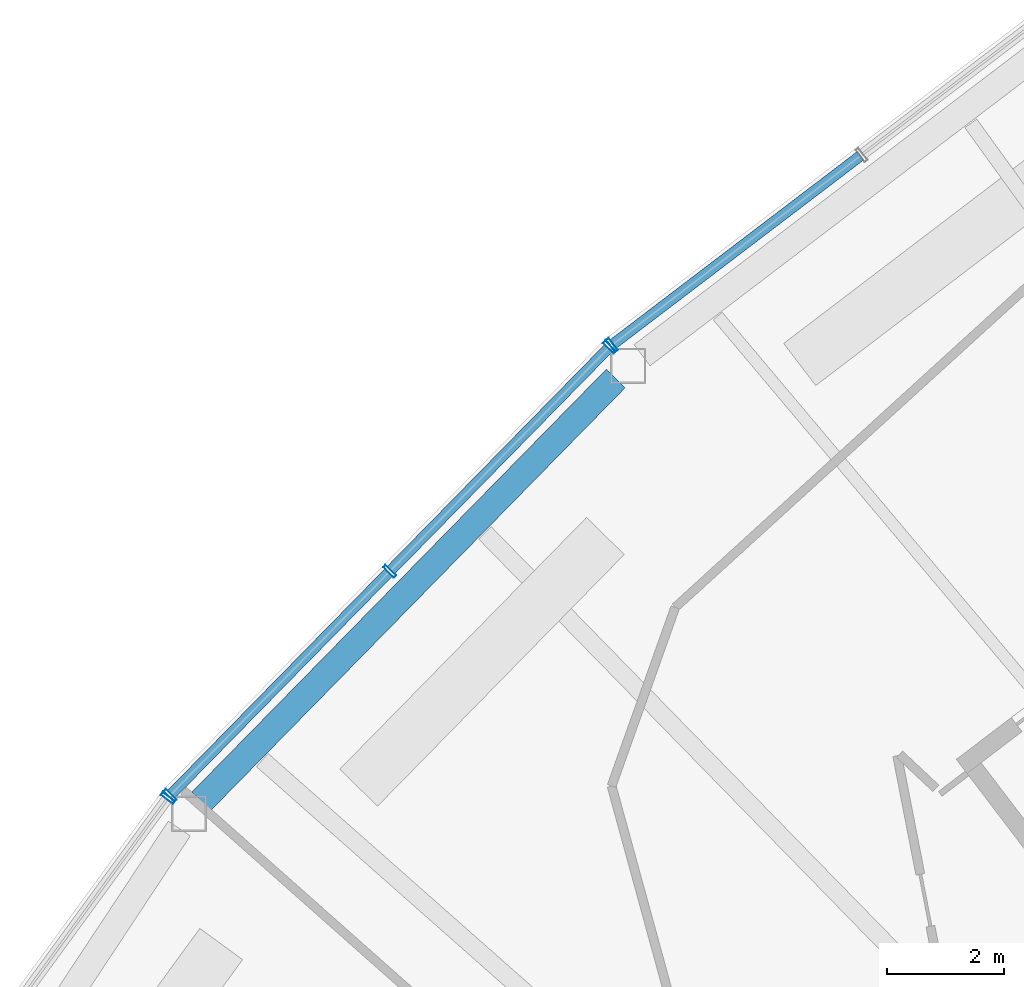
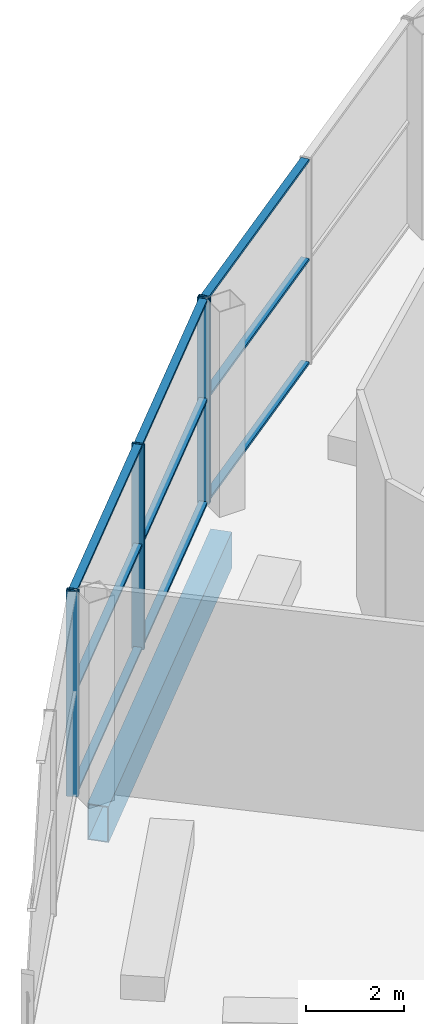
# One storey, part 8 of 43: 14 members, 1 beam, 3 elements without a shape of their own.
"""IFC4 building model written with IfcOpenShell, lengths in metres."""

from ifc_helpers import new_model, si_unit, direction, frame, origin, origin_2d, place, context, subcontext, project, spatial, hollow_rectangle, extrude, material, layer, layer_set, material_profile, profile_set, type_object, element, aggregate, save


model = new_model("IFC4")

# Units and contexts
model_context = context("Model", 3, precision=1e-05, world=origin(), true_north=direction((0.0, 1.0)))
body_context = subcontext(model_context, "Body", "Model", "MODEL_VIEW")
ifc_project = project(units=[si_unit("LENGTHUNIT", "METRE"), si_unit("AREAUNIT", "SQUARE_METRE"), si_unit("VOLUMEUNIT", "CUBIC_METRE"), si_unit("PLANEANGLEUNIT", "RADIAN"), si_unit("MASSUNIT", "GRAM", prefix="KILO")], contexts=[model_context])

# Site, building, storey
site_placement = place(None, origin())
site = spatial("IfcSite", under=ifc_project, at=site_placement, CompositionType="ELEMENT")
building_placement = place(site_placement, origin())
building = spatial("IfcBuilding", under=site, at=building_placement, Name="Tuul Gate Civic Tower", CompositionType="ELEMENT")
storey_placement = place(building_placement, frame((0.0, 0.0, 349.10009765625)))
storey = spatial("IfcBuildingStorey", under=building, at=storey_placement, Name="Observation level 1", CompositionType="ELEMENT", Elevation=349.10009765625)

# Curtain wall, member
ifc_material_1 = material(Name="Stainless steel", Category="steel")
ifc_layer = layer(ifc_material_1, 0.199951171875)
ifc_layer_set = layer_set([ifc_layer], Name="Stainless steel")
curtain_wall_type = type_object("IfcCurtainWallType", Name="Curtain wall CW4", PredefinedType="NOTDEFINED", material=ifc_layer_set)
curtain_wall_1_placement = place(storey_placement, origin())
curtain_wall_1 = element("IfcCurtainWall", 1, at=curtain_wall_1_placement, inside=storey, type_object=curtain_wall_type, Name="Curtain wall CW4", PredefinedType="NOTDEFINED")
ifc_material_2 = material(Name="Stainless steel", Category="steel")
ifc_material_profile_1 = material_profile(ifc_material_2, hollow_rectangle(XDim=0.260009765625, YDim=0.06005859375, WallThickness=0.006103515625, at=origin_2d()), Name="CW4 mullion")
ifc_profile_set_1 = profile_set([ifc_material_profile_1], Name="Stainless steel")
member_type_1 = type_object("IfcMemberType", Name="CW4 mullion", PredefinedType="MULLION", material=ifc_profile_set_1)
member_1_placement = place(storey_placement, frame((-46.980224609375, -4.306884765625, 0.0), z_axis=(0.0, 0.0, 1.0), x_axis=(0.605807600786, -0.795611180684, 0.0)))
member_1 = element("IfcMember", 2, at=member_1_placement, type_object=member_type_1, Name="Mullion", PredefinedType="MULLION", context=body_context, shape_type="SweptSolid", body=[
    extrude(hollow_rectangle(XDim=0.260009765625, YDim=0.06005859375, WallThickness=0.006103515625, at=origin_2d()), origin(), (0.0, 0.0, 1.0), 5.099853515625),
])

# Curtain wall, members
curtain_wall_2_placement = place(storey_placement, origin())
curtain_wall_2 = element("IfcCurtainWall", 3, at=curtain_wall_2_placement, inside=storey, type_object=curtain_wall_type, Name="Curtain wall CW4", PredefinedType="NOTDEFINED")
member_2_placement = place(storey_placement, frame((-47.02490234375, -4.346435546875, 0.0), z_axis=(0.0, 0.0, 1.0), x_axis=(0.714100212908, -0.700043488595, 0.0)))
member_2 = element("IfcMember", 4, at=member_2_placement, type_object=member_type_1, Name="Mullion", PredefinedType="MULLION", context=body_context, shape_type="SweptSolid", body=[
    extrude(hollow_rectangle(XDim=0.260009765625, YDim=0.06005859375, WallThickness=0.006103515625, at=origin_2d()), origin(), (0.0, 0.0, 1.0), 5.099853515625),
])
member_3_placement = place(storey_placement, frame((-50.763916015625, -8.160400390625, 0.0), z_axis=(0.0, 0.0, 1.0), x_axis=(0.714100212908, -0.700043488595, 0.0)))
member_3 = element("IfcMember", 5, at=member_3_placement, type_object=member_type_1, Name="Mullion", PredefinedType="MULLION", context=body_context, shape_type="SweptSolid", body=[
    extrude(hollow_rectangle(XDim=0.260009765625, YDim=0.06005859375, WallThickness=0.006103515625, at=origin_2d()), origin(), (0.0, 0.0, 1.0), 5.099853515625),
])
member_4_placement = place(storey_placement, frame((-54.5029296875, -11.974609375, 0.0), z_axis=(0.0, 0.0, 1.0), x_axis=(0.714100212908, -0.700043488595, 0.0)))
member_4 = element("IfcMember", 6, at=member_4_placement, type_object=member_type_1, Name="Mullion", PredefinedType="MULLION", context=body_context, shape_type="SweptSolid", body=[
    extrude(hollow_rectangle(XDim=0.260009765625, YDim=0.06005859375, WallThickness=0.006103515625, at=origin_2d()), origin(), (0.0, 0.0, 1.0), 5.099853515625),
])

# Curtain wall, member
curtain_wall_3_placement = place(storey_placement, origin())
curtain_wall_3 = element("IfcCurtainWall", 7, at=curtain_wall_3_placement, inside=storey, type_object=curtain_wall_type, Name="Curtain wall CW4", PredefinedType="NOTDEFINED")
member_5_placement = place(storey_placement, frame((-54.541748046875, -12.020263671875, 0.0), z_axis=(0.0, 0.0, 1.0), x_axis=(0.807578487079, -0.589760109881, 0.0)))
member_5 = element("IfcMember", 8, at=member_5_placement, type_object=member_type_1, Name="Mullion", PredefinedType="MULLION", context=body_context, shape_type="SweptSolid", body=[
    extrude(hollow_rectangle(XDim=0.260009765625, YDim=0.06005859375, WallThickness=0.006103515625, at=origin_2d()), origin(), (0.0, 0.0, 1.0), 5.099853515625),
])
aggregate(curtain_wall_3, [member_5])

# Member
ifc_material_3 = material(Name="Stainless steel", Category="steel")
ifc_material_profile_2 = material_profile(ifc_material_3, hollow_rectangle(XDim=0.179931640625, YDim=0.06005859375, WallThickness=0.006103515625, at=origin_2d()), Name="CW4 transom")
ifc_profile_set_2 = profile_set([ifc_material_profile_2], Name="Stainless steel")
member_type_2 = type_object("IfcMemberType", Name="CW4 transom", PredefinedType="USERDEFINED", material=ifc_profile_set_2)
member_6_placement = place(storey_placement, frame((-42.75439453125, -1.089111328125, 0.02978515625), z_axis=(-0.795613143647, -0.605805022805, 0.0), x_axis=(0.605805022805, -0.795613143647, 0.0)))
member_6 = element("IfcMember", 9, at=member_6_placement, type_object=member_type_2, Name="Transom", ObjectType="TRANSOM", PredefinedType="USERDEFINED", context=body_context, shape_type="SweptSolid", body=[
    extrude(hollow_rectangle(XDim=0.179931640625, YDim=0.06005859375, WallThickness=0.006103515625, at=origin_2d()), origin(), (0.0, 0.0, 1.0), 5.28125),
])

member_7_placement = place(storey_placement, frame((-42.75439453125, -1.089111328125, 2.599853515625), z_axis=(-0.795613143647, -0.605805022805, 0.0), x_axis=(0.605805022805, -0.795613143647, 0.0)))
member_7 = element("IfcMember", 10, at=member_7_placement, type_object=member_type_2, Name="Transom", ObjectType="TRANSOM", PredefinedType="USERDEFINED", context=body_context, shape_type="SweptSolid", body=[
    extrude(hollow_rectangle(XDim=0.179931640625, YDim=0.06005859375, WallThickness=0.006103515625, at=origin_2d()), origin(), (0.0, 0.0, 1.0), 5.28125),
])

member_8_placement = place(storey_placement, frame((-42.75439453125, -1.089111328125, 5.06982421875), z_axis=(-0.795613143647, -0.605805022805, 0.0), x_axis=(0.605805022805, -0.795613143647, 0.0)))
member_8 = element("IfcMember", 11, at=member_8_placement, type_object=member_type_2, Name="Transom", ObjectType="TRANSOM", PredefinedType="USERDEFINED", context=body_context, shape_type="SweptSolid", body=[
    extrude(hollow_rectangle(XDim=0.179931640625, YDim=0.06005859375, WallThickness=0.006103515625, at=origin_2d()), origin(), (0.0, 0.0, 1.0), 5.28125),
])

aggregate(curtain_wall_1, [member_1, member_6, member_7, member_8])

member_9_placement = place(storey_placement, frame((-47.0458984375, -4.367919921875, 0.02978515625), z_axis=(-0.700045065111, -0.714098667422, 0.0), x_axis=(0.714098667422, -0.700045065111, 0.0)))
member_9 = element("IfcMember", 12, at=member_9_placement, type_object=member_type_2, Name="Transom", ObjectType="TRANSOM", PredefinedType="USERDEFINED", context=body_context, shape_type="SweptSolid", body=[
    extrude(hollow_rectangle(XDim=0.179931640625, YDim=0.06005859375, WallThickness=0.006103515625, at=origin_2d()), origin(), (0.0, 0.0, 1.0), 5.281005859375),
])

member_10_placement = place(storey_placement, frame((-47.0458984375, -4.367919921875, 2.599853515625), z_axis=(-0.700045065111, -0.714098667422, 0.0), x_axis=(0.714098667422, -0.700045065111, 0.0)))
member_10 = element("IfcMember", 13, at=member_10_placement, type_object=member_type_2, Name="Transom", ObjectType="TRANSOM", PredefinedType="USERDEFINED", context=body_context, shape_type="SweptSolid", body=[
    extrude(hollow_rectangle(XDim=0.179931640625, YDim=0.06005859375, WallThickness=0.006103515625, at=origin_2d()), origin(), (0.0, 0.0, 1.0), 5.281005859375),
])

member_11_placement = place(storey_placement, frame((-47.0458984375, -4.367919921875, 5.06982421875), z_axis=(-0.700045065111, -0.714098667422, 0.0), x_axis=(0.714098667422, -0.700045065111, 0.0)))
member_11 = element("IfcMember", 14, at=member_11_placement, type_object=member_type_2, Name="Transom", ObjectType="TRANSOM", PredefinedType="USERDEFINED", context=body_context, shape_type="SweptSolid", body=[
    extrude(hollow_rectangle(XDim=0.179931640625, YDim=0.06005859375, WallThickness=0.006103515625, at=origin_2d()), origin(), (0.0, 0.0, 1.0), 5.281005859375),
])

member_12_placement = place(storey_placement, frame((-50.784912109375, -8.181884765625, 0.02978515625), z_axis=(-0.700045065111, -0.714098667422, 0.0), x_axis=(0.714098667422, -0.700045065111, 0.0)))
member_12 = element("IfcMember", 15, at=member_12_placement, type_object=member_type_2, Name="Transom", ObjectType="TRANSOM", PredefinedType="USERDEFINED", context=body_context, shape_type="SweptSolid", body=[
    extrude(hollow_rectangle(XDim=0.179931640625, YDim=0.06005859375, WallThickness=0.006103515625, at=origin_2d()), origin(), (0.0, 0.0, 1.0), 5.281005859375),
])

member_13_placement = place(storey_placement, frame((-50.784912109375, -8.181884765625, 2.599853515625), z_axis=(-0.700045065111, -0.714098667422, 0.0), x_axis=(0.714098667422, -0.700045065111, 0.0)))
member_13 = element("IfcMember", 16, at=member_13_placement, type_object=member_type_2, Name="Transom", ObjectType="TRANSOM", PredefinedType="USERDEFINED", context=body_context, shape_type="SweptSolid", body=[
    extrude(hollow_rectangle(XDim=0.179931640625, YDim=0.06005859375, WallThickness=0.006103515625, at=origin_2d()), origin(), (0.0, 0.0, 1.0), 5.281005859375),
])

member_14_placement = place(storey_placement, frame((-50.784912109375, -8.181884765625, 5.06982421875), z_axis=(-0.700045065111, -0.714098667422, 0.0), x_axis=(0.714098667422, -0.700045065111, 0.0)))
member_14 = element("IfcMember", 17, at=member_14_placement, type_object=member_type_2, Name="Transom", ObjectType="TRANSOM", PredefinedType="USERDEFINED", context=body_context, shape_type="SweptSolid", body=[
    extrude(hollow_rectangle(XDim=0.179931640625, YDim=0.06005859375, WallThickness=0.006103515625, at=origin_2d()), origin(), (0.0, 0.0, 1.0), 5.281005859375),
])

aggregate(curtain_wall_2, [member_2, member_3, member_4, member_9, member_10, member_11, member_12, member_13, member_14])

# Beam
ifc_material_4 = material(Name="Steel S355", Category="steel")
ifc_material_profile_3 = material_profile(ifc_material_4, hollow_rectangle(XDim=0.449951171875, YDim=0.89990234375, WallThickness=0.02490234375, at=origin_2d()), Name="BOX900x450x25")
ifc_profile_set_3 = profile_set([ifc_material_profile_3], Name="Steel S355")
beam_type = type_object("IfcBeamType", Name="STR-SPANDREL BEAM-BOX900x450x25", PredefinedType="BEAM", material=ifc_profile_set_3)
beam_placement = place(storey_placement, frame((-46.916015625, -4.877197265625, -0.85009765625), z_axis=(-0.699997044148, -0.714145740157, 0.0), x_axis=(0.714145740157, -0.699997044148, 0.0)))
element("IfcBeam", 18, at=beam_placement, inside=storey, type_object=beam_type, Name="Spandrel beam", PredefinedType="BEAM", context=body_context, shape_type="SweptSolid", body=[
    extrude(hollow_rectangle(XDim=0.449951171875, YDim=0.89990234375, WallThickness=0.02490234375, at=origin_2d()), origin(), (0.0, 0.0, 1.0), 10.0771484375),
])

save(model, "model.ifc")
